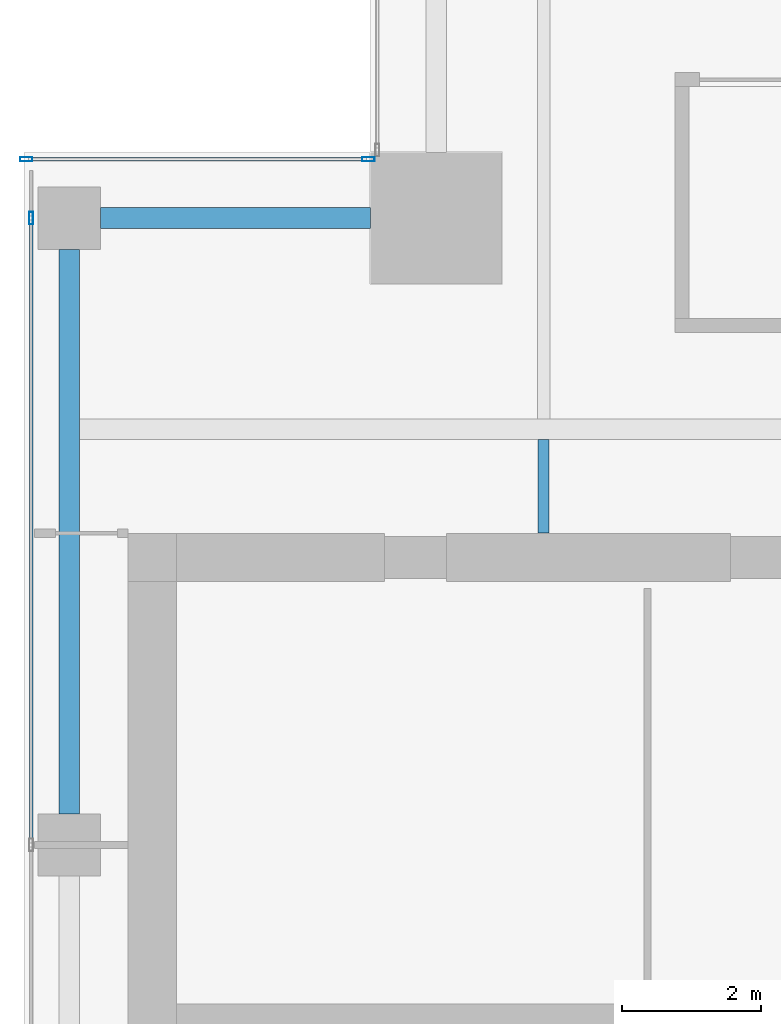
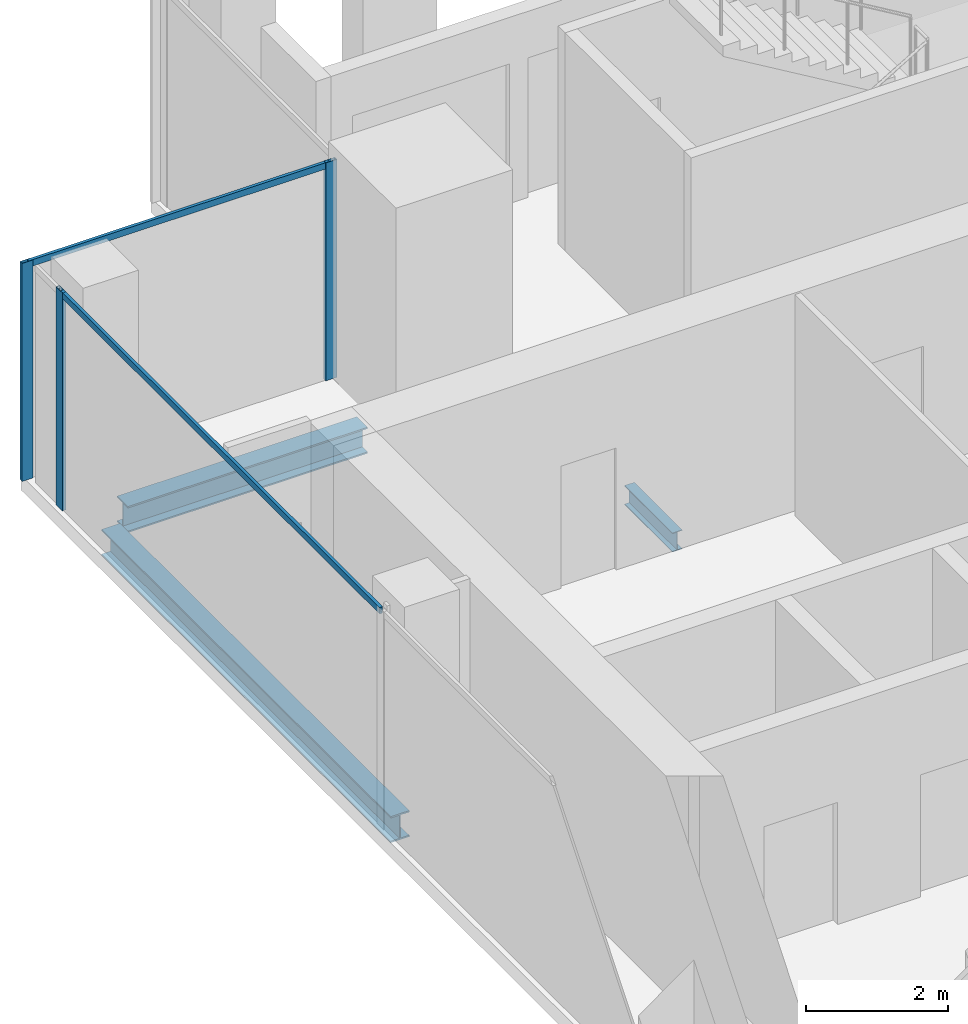
# One storey, part 16 of 35: 5 members, 3 beams, 2 elements without a shape of their own.
"""IFC4 building model written with IfcOpenShell, lengths in metres."""

from ifc_helpers import new_model, si_unit, direction, frame, origin, origin_2d, place, context, subcontext, project, spatial, hollow_rectangle, i_section, extrude, source, transform, mapped, material, material_profile, profile_set, type_object, element, aggregate, save


model = new_model("IFC4")

# Units and contexts
model_context = context("Model", 3, precision=1e-05, world=origin(), true_north=direction((0.0, 1.0)))
body_context = subcontext(model_context, "Body", "Model", "MODEL_VIEW")
ifc_project = project(units=[si_unit("LENGTHUNIT", "METRE"), si_unit("AREAUNIT", "SQUARE_METRE"), si_unit("VOLUMEUNIT", "CUBIC_METRE"), si_unit("PLANEANGLEUNIT", "RADIAN"), si_unit("MASSUNIT", "GRAM", prefix="KILO")], contexts=[model_context])

# Site, building, storey
site_placement = place(None, origin())
site = spatial("IfcSite", under=ifc_project, at=site_placement, CompositionType="ELEMENT")
building_placement = place(site_placement, origin())
building = spatial("IfcBuilding", under=site, at=building_placement, Name="Khomas Fold Tower", CompositionType="ELEMENT")
storey_placement = place(building_placement, frame((0.0, 0.0, 270.199951171875)))
storey = spatial("IfcBuildingStorey", under=building, at=storey_placement, Name="L61", CompositionType="ELEMENT", Elevation=270.199951171875)

# Beams
ifc_material_1 = material(Name="Steel S355", Category="steel")
ifc_material_profile_1 = material_profile(ifc_material_1, i_section(OverallWidth=0.159912109375, OverallDepth=0.330078125, WebThickness=0.007568359375, FlangeThickness=0.011474609375, at=origin_2d()), Name="IPE 330")
ifc_profile_set_1 = profile_set([ifc_material_profile_1], Name="Steel S355")
beam_type_1 = type_object("IfcBeamType", Name="IPE 330 beam JB1", PredefinedType="BEAM", material=ifc_profile_set_1)
shared_shape_1 = source(origin(), body_context, "Body", "SweptSolid", [
    extrude(i_section(OverallWidth=0.159912109375, OverallDepth=0.330078125, WebThickness=0.007568359375, FlangeThickness=0.011474609375, at=origin_2d()), origin(), (0.0, 0.0, 1.0), 1.35009765625),
])
beam_1_placement = place(storey_placement, frame((12.0, 39.0, -0.4150390625), z_axis=(0.0, 1.0, 0.0), x_axis=(-1.0, 0.0, 0.0)))
element("IfcBeam", 1, at=beam_1_placement, inside=storey, type_object=beam_type_1, Name="JB1", PredefinedType="BEAM", context=body_context, shape_type="MappedRepresentation", body=[
    mapped(shared_shape_1, transform((0.0, 0.0, 0.0))),
])
ifc_material_2 = material(Name="Steel S355", Category="steel")
ifc_material_profile_2 = material_profile(ifc_material_2, i_section(OverallWidth=0.300048828125, OverallDepth=0.449951171875, WebThickness=0.013916015625, FlangeThickness=0.02587890625, at=origin_2d()), Name="HE 450 B")
ifc_profile_set_2 = profile_set([ifc_material_profile_2], Name="Steel S355")
beam_type_2 = type_object("IfcBeamType", Name="HE 450 B spandrel SB4", PredefinedType="SPANDREL", material=ifc_profile_set_2)
shared_shape_2 = source(origin(), body_context, "Body", "SweptSolid", [
    extrude(i_section(OverallWidth=0.300048828125, OverallDepth=0.449951171875, WebThickness=0.013916015625, FlangeThickness=0.02587890625, at=origin_2d()), origin(), (0.0, 0.0, 1.0), 8.150146484375),
])
beam_2_placement = place(storey_placement, frame((5.14990234375, 34.949951171875, -0.474853515625), z_axis=(0.0, 1.0, 0.0), x_axis=(-1.0, 0.0, 0.0)))
element("IfcBeam", 2, at=beam_2_placement, inside=storey, type_object=beam_type_2, Name="SB4", PredefinedType="SPANDREL", context=body_context, shape_type="MappedRepresentation", body=[
    mapped(shared_shape_2, transform((0.0, 0.0, 0.0))),
])
shared_shape_3 = source(origin(), body_context, "Body", "SweptSolid", [
    extrude(i_section(OverallWidth=0.300048828125, OverallDepth=0.449951171875, WebThickness=0.013916015625, FlangeThickness=0.02587890625, at=origin_2d()), origin(), (0.0, 0.0, 1.0), 3.89990234375),
])
beam_3_placement = place(storey_placement, frame((5.60009765625, 43.550048828125, -0.474853515625), z_axis=(1.0, 0.0, 0.0), x_axis=(0.0, 1.0, 0.0)))
element("IfcBeam", 3, at=beam_3_placement, inside=storey, type_object=beam_type_2, Name="SB4", PredefinedType="SPANDREL", context=body_context, shape_type="MappedRepresentation", body=[
    mapped(shared_shape_3, transform((0.0, 0.0, 0.0))),
])

# Curtain wall, members
ifc_material_3 = material(Name="Aluminium framed double glazing", Category="aluminium")
curtain_wall_type = type_object("IfcCurtainWallType", Name="SK-Unitised clear-glass wall, office floors CW2", PredefinedType="NOTDEFINED", material=ifc_material_3)
curtain_wall_1_placement = place(storey_placement, origin())
curtain_wall_1 = element("IfcCurtainWall", 4, at=curtain_wall_1_placement, inside=storey, type_object=curtain_wall_type, Name="CW2 corner return L61 08", PredefinedType="NOTDEFINED")
ifc_material_4 = material(Name="Aluminium", Category="aluminium")
ifc_material_profile_3 = material_profile(ifc_material_4, hollow_rectangle(XDim=0.06005859375, YDim=0.179931640625, WallThickness=0.00390625, at=origin_2d()), Name="SK-Unitised clear-glass wall, office floors mullion CW2-M")
ifc_profile_set_3 = profile_set([ifc_material_profile_3], Name="Aluminium")
member_type_1 = type_object("IfcMemberType", Name="SK-Unitised clear-glass wall, office floors mullion CW2-M", PredefinedType="MULLION", material=ifc_profile_set_3)
shared_shape_4 = source(origin(), body_context, "Body", "SweptSolid", [
    extrude(hollow_rectangle(XDim=0.06005859375, YDim=0.179931640625, WallThickness=0.00390625, at=origin_2d()), origin(), (0.0, 0.0, 1.0), 3.75),
])
member_1_placement = place(storey_placement, frame((9.469970703125, 44.39990234375, 0.0), z_axis=(0.0, 0.0, 1.0), x_axis=(0.0, -1.0, 0.0)))
member_1 = element("IfcMember", 5, at=member_1_placement, type_object=member_type_1, Name="CW2 mullion 1", PredefinedType="MULLION", context=body_context, shape_type="MappedRepresentation", body=[
    mapped(shared_shape_4, transform((0.0, 0.0, 0.0))),
])
member_2_placement = place(storey_placement, frame((4.530029296875, 44.39990234375, 0.0), z_axis=(0.0, 0.0, 1.0), x_axis=(0.0, -1.0, 0.0)))
member_2 = element("IfcMember", 6, at=member_2_placement, type_object=member_type_1, Name="CW2 mullion 2", PredefinedType="MULLION", context=body_context, shape_type="MappedRepresentation", body=[
    mapped(shared_shape_4, transform((0.0, 0.0, 0.0))),
])

curtain_wall_2_placement = place(storey_placement, origin())
curtain_wall_2 = element("IfcCurtainWall", 7, at=curtain_wall_2_placement, inside=storey, type_object=curtain_wall_type, Name="CW2 run L61 09-0", PredefinedType="NOTDEFINED")
member_3_placement = place(storey_placement, frame((4.60009765625, 43.550048828125, 0.0), z_axis=(0.0, 0.0, 1.0), x_axis=(1.0, 0.0, 0.0)))
member_3 = element("IfcMember", 8, at=member_3_placement, type_object=member_type_1, Name="CW2 mullion 2", PredefinedType="MULLION", context=body_context, shape_type="MappedRepresentation", body=[
    mapped(shared_shape_4, transform((0.0, 0.0, 0.0))),
])
ifc_material_5 = material(Name="Aluminium", Category="aluminium")
ifc_material_profile_4 = material_profile(ifc_material_5, hollow_rectangle(XDim=0.050048828125, YDim=0.110107421875, WallThickness=0.00390625, at=origin_2d()), Name="SK-Unitised clear-glass wall, office floors transom CW2-T")
ifc_profile_set_4 = profile_set([ifc_material_profile_4], Name="Aluminium")
member_type_2 = type_object("IfcMemberType", Name="SK-Unitised clear-glass wall, office floors transom CW2-T", PredefinedType="USERDEFINED", material=ifc_profile_set_4)
shared_shape_5 = source(origin(), body_context, "Body", "SweptSolid", [
    extrude(hollow_rectangle(XDim=0.050048828125, YDim=0.110107421875, WallThickness=0.00390625, at=origin_2d()), origin(), (0.0, 0.0, 1.0), 8.989990234375),
])
member_4_placement = place(storey_placement, frame((4.60009765625, 43.52001953125, 3.695068359375), z_axis=(0.0, -1.0, 0.0), x_axis=(1.0, 0.0, 0.0)))
member_4 = element("IfcMember", 9, at=member_4_placement, type_object=member_type_2, Name="CW2 transom 2", ObjectType="TRANSOM", PredefinedType="USERDEFINED", context=body_context, shape_type="MappedRepresentation", body=[
    mapped(shared_shape_5, transform((0.0, 0.0, 0.0))),
])
aggregate(curtain_wall_2, [member_3, member_4])

# Member
shared_shape_6 = source(origin(), body_context, "Body", "SweptSolid", [
    extrude(hollow_rectangle(XDim=0.050048828125, YDim=0.110107421875, WallThickness=0.00390625, at=origin_2d()), origin(), (0.0, 0.0, 1.0), 4.8798828125),
])
member_5_placement = place(storey_placement, frame((9.43994140625, 44.39990234375, 3.695068359375), z_axis=(-1.0, 0.0, 0.0), x_axis=(0.0, -1.0, 0.0)))
member_5 = element("IfcMember", 10, at=member_5_placement, type_object=member_type_2, Name="CW2 transom 1", ObjectType="TRANSOM", PredefinedType="USERDEFINED", context=body_context, shape_type="MappedRepresentation", body=[
    mapped(shared_shape_6, transform((0.0, 0.0, 0.0))),
])

aggregate(curtain_wall_1, [member_1, member_2, member_5])

save(model, "model.ifc")
